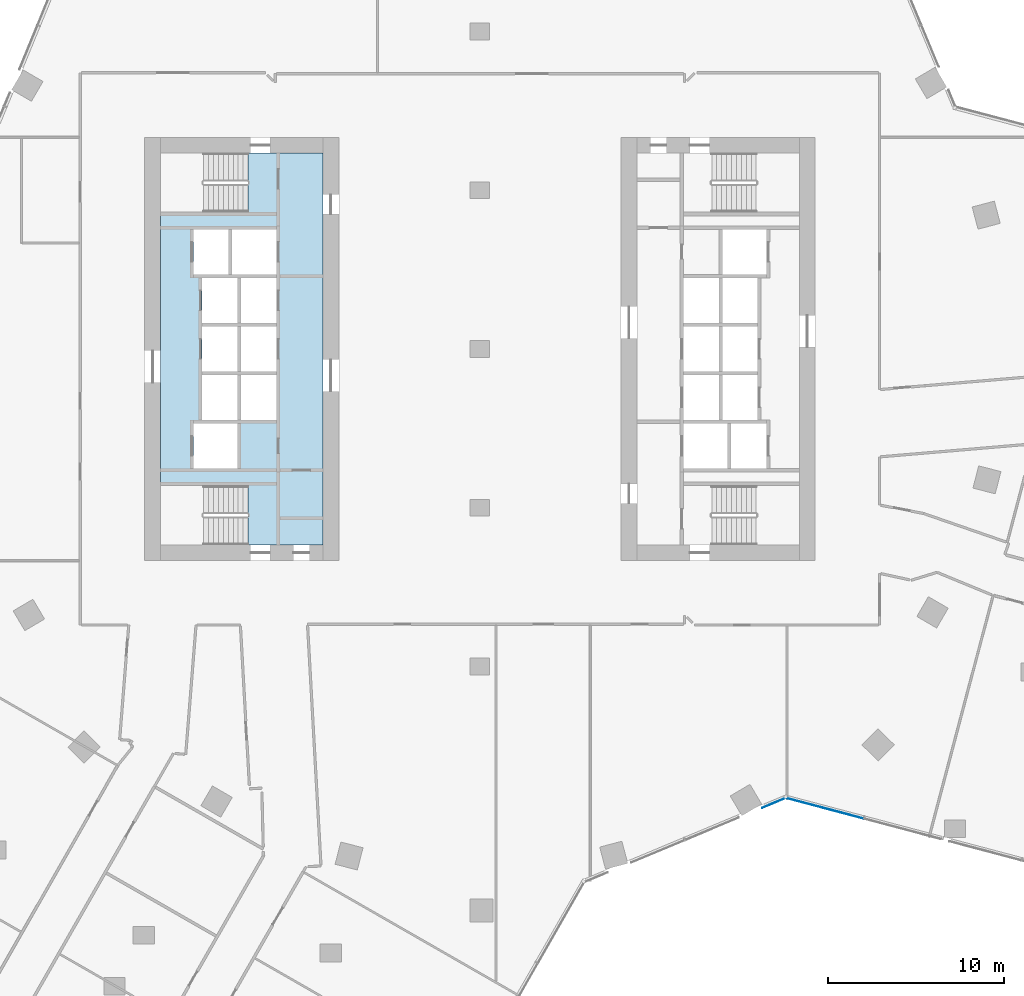
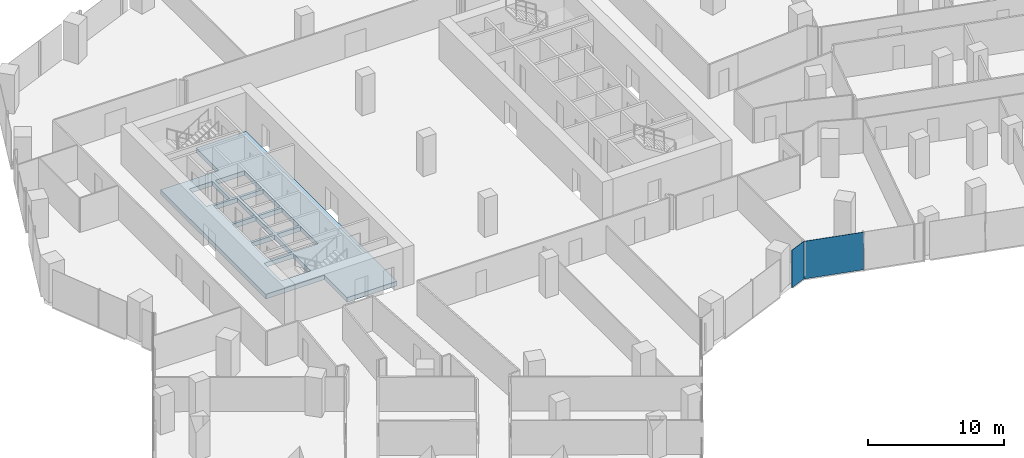
# One storey, part 21 of 35: 2 plates, 1 slab, 2 elements without a shape of their own.
"""IFC4 building model written with IfcOpenShell, lengths in metres."""

from ifc_helpers import new_model, si_unit, direction, frame, origin, origin_2d, place, context, subcontext, project, spatial, polyline, rectangle, outline, extrude, material, layer, layer_set, type_object, element, aggregate, save


model = new_model("IFC4")

# Units and contexts
model_context = context("Model", 3, precision=1e-05, world=origin(), true_north=direction((0.0, 1.0)))
body_context = subcontext(model_context, "Body", "Model", "MODEL_VIEW")
ifc_project = project(units=[si_unit("LENGTHUNIT", "METRE"), si_unit("AREAUNIT", "SQUARE_METRE"), si_unit("VOLUMEUNIT", "CUBIC_METRE"), si_unit("PLANEANGLEUNIT", "RADIAN"), si_unit("MASSUNIT", "GRAM", prefix="KILO")], contexts=[model_context])

# Site, building, storey
site_placement = place(None, origin())
site = spatial("IfcSite", under=ifc_project, at=site_placement, CompositionType="ELEMENT")
building_placement = place(site_placement, origin())
building = spatial("IfcBuilding", under=site, at=building_placement, Name="Orlundy Tower", CompositionType="ELEMENT")
storey_placement = place(building_placement, frame((0.0, 0.0, 116.199951171875)))
storey = spatial("IfcBuildingStorey", under=building, at=storey_placement, Name="L29", CompositionType="ELEMENT", Elevation=116.199951171875)

# Curtain wall, plate
ifc_material_1 = material(Name="Aluminium bronze anodised", Category="aluminium")
curtain_wall_type = type_object("IfcCurtainWallType", Name="CW1 wall", PredefinedType="NOTDEFINED", material=ifc_material_1)
curtain_wall_1_placement = place(storey_placement, origin())
curtain_wall_1 = element("IfcCurtainWall", 1, at=curtain_wall_1_placement, inside=storey, type_object=curtain_wall_type, Name="CW1 run 00", PredefinedType="NOTDEFINED")
ifc_material_2 = material(Name="Tinted glass", Category="glass")
ifc_layer_1 = layer(ifc_material_2, 0.031982421875)
ifc_layer_set_1 = layer_set([ifc_layer_1], Name="CW1 glass panel 32")
plate_type = type_object("IfcPlateType", Name="CW1 glass panel 32", PredefinedType="CURTAIN_PANEL", material=ifc_layer_set_1)
plate_1_placement = place(storey_placement, frame((19.532958984375, -26.0322265625, -0.27978515625), z_axis=(0.0, 0.0, 1.0), x_axis=(-0.966673796654, 0.256011270968, 0.0)))
plate_1 = element("IfcPlate", 2, at=plate_1_placement, type_object=plate_type, Name="CW1 panel", PredefinedType="CURTAIN_PANEL", context=body_context, shape_type="SweptSolid", body=[
    extrude(rectangle(XDim=4.550048828125, YDim=0.031982421875, at=origin_2d()), origin(), (0.0, 0.0, 1.0), 3.3798828125),
])
aggregate(curtain_wall_1, [plate_1])

curtain_wall_2_placement = place(storey_placement, origin())
curtain_wall_2 = element("IfcCurtainWall", 3, at=curtain_wall_2_placement, inside=storey, type_object=curtain_wall_type, Name="CW1 run 01", PredefinedType="NOTDEFINED")
plate_2_placement = place(storey_placement, frame((16.6669921875, -25.728271484375, -0.27978515625), z_axis=(0.0, 0.0, 1.0), x_axis=(-0.922759105019, -0.385377262048, 0.0)))
plate_2 = element("IfcPlate", 4, at=plate_2_placement, type_object=plate_type, Name="CW1 panel", PredefinedType="CURTAIN_PANEL", context=body_context, shape_type="SweptSolid", body=[
    extrude(rectangle(XDim=1.445068359375, YDim=0.031982421875, at=origin_2d()), origin(), (0.0, 0.0, 1.0), 3.3798828125),
])
aggregate(curtain_wall_2, [plate_2])

# Slab
ifc_material_3 = material(Name="Concrete C50/60", Category="concrete")
ifc_layer_2 = layer(ifc_material_3, 0.409912109375)
ifc_layer_set_2 = layer_set([ifc_layer_2], Name="Core Floor Slab 410")
slab_type = type_object("IfcSlabType", Name="Core Floor Slab 410", PredefinedType="FLOOR", material=ifc_layer_set_2)
slab_placement = place(storey_placement, frame((0.0, 0.0, -0.409912109375)))
element("IfcSlab", 5, at=slab_placement, inside=storey, type_object=slab_type, Name="Core floor W22", PredefinedType="FLOOR", context=body_context, shape_type="SweptSolid", body=[
    extrude(outline(polyline([(-13.14501953125, 7.75), (-13.14501953125, 11.10009765625), (-8.89990234375, 11.10009765625), (-8.89990234375, -11.10009765625), (-13.14501953125, -11.10009765625), (-13.14501953125, -7.75), (-18.10009765625, -7.75), (-18.10009765625, 7.75), (-13.14501953125, 7.75)]), holes=[polyline([(-16.239990234375, -6.77490234375), (-13.739990234375, -6.77490234375), (-13.739990234375, -4.22509765625), (-16.239990234375, -4.22509765625), (-16.239990234375, -6.77490234375)]), polyline([(-13.5400390625, -1.47509765625), (-13.5400390625, -4.02490234375), (-11.5400390625, -4.02490234375), (-11.5400390625, -1.47509765625), (-13.5400390625, -1.47509765625)]), polyline([(-13.739990234375, -1.47509765625), (-15.739990234375, -1.47509765625), (-15.739990234375, -4.02490234375), (-13.739990234375, -4.02490234375), (-13.739990234375, -1.47509765625)]), polyline([(-11.5400390625, -1.27490234375), (-11.5400390625, 1.27490234375), (-13.5400390625, 1.27490234375), (-13.5400390625, -1.27490234375), (-11.5400390625, -1.27490234375)]), polyline([(-15.739990234375, -1.27490234375), (-13.739990234375, -1.27490234375), (-13.739990234375, 1.27490234375), (-15.739990234375, 1.27490234375), (-15.739990234375, -1.27490234375)]), polyline([(-13.5400390625, 4.02490234375), (-13.5400390625, 1.47509765625), (-11.5400390625, 1.47509765625), (-11.5400390625, 4.02490234375), (-13.5400390625, 4.02490234375)]), polyline([(-13.739990234375, 4.02490234375), (-15.739990234375, 4.02490234375), (-15.739990234375, 1.47509765625), (-13.739990234375, 1.47509765625), (-13.739990234375, 4.02490234375)]), polyline([(-11.5400390625, 4.22509765625), (-11.5400390625, 6.77490234375), (-14.0400390625, 6.77490234375), (-14.0400390625, 4.22509765625), (-11.5400390625, 4.22509765625)]), polyline([(-16.239990234375, 4.22509765625), (-14.239990234375, 4.22509765625), (-14.239990234375, 6.77490234375), (-16.239990234375, 6.77490234375), (-16.239990234375, 4.22509765625)])]), origin(), (0.0, 0.0, 1.0), 0.409912109375),
])

save(model, "model.ifc")
